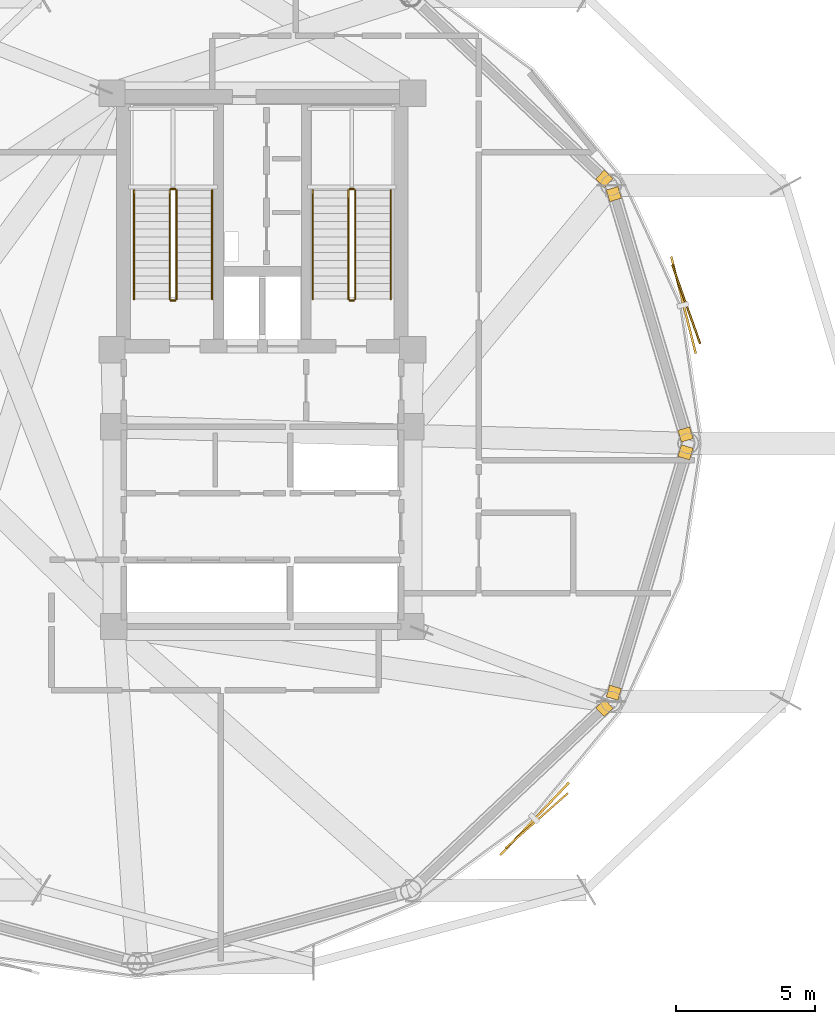
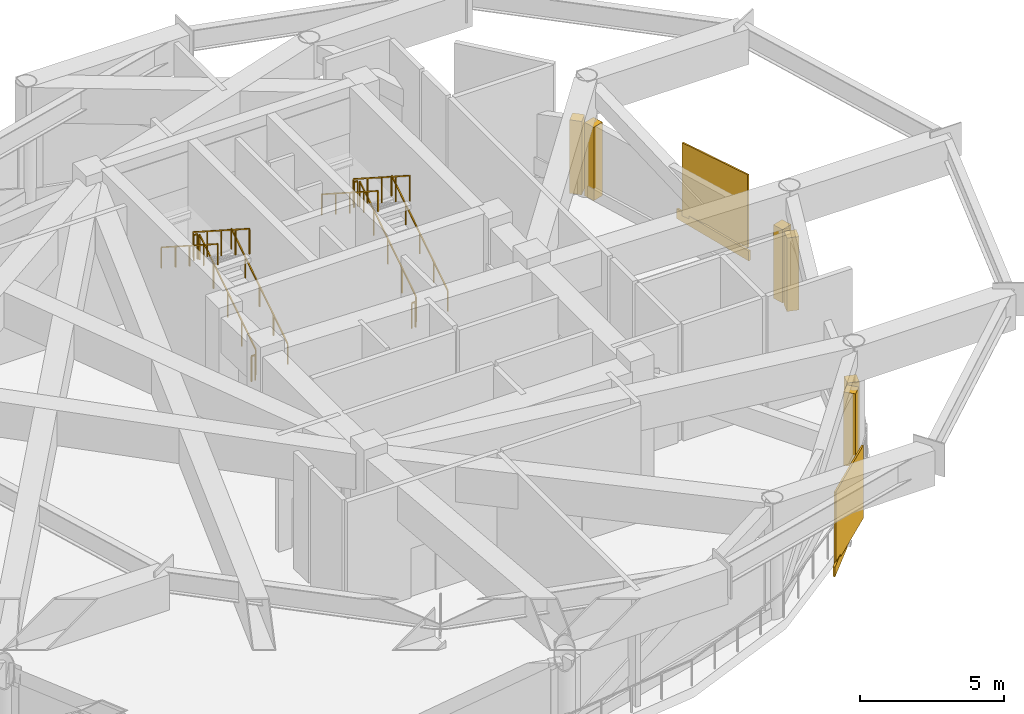
# One storey, part 7 of 8: 12 railings, 8 coverings, 2 shading devices.
"""IFC4 building model written with IfcOpenShell, lengths in metres."""

from ifc_helpers import new_model, si_unit, direction, frame, origin, origin_2d, place, context, subcontext, project, spatial, rectangle, extrude, source, transform, mapped, material, layer, layer_set, type_object, type_shapes, element, save


model = new_model("IFC4")

# Units and contexts
model_context = context("Model", 3, precision=1e-05, world=origin(), true_north=direction((0.0, 1.0)))
body_context = subcontext(model_context, "Body", "Model", "MODEL_VIEW")
ifc_project = project(units=[si_unit("LENGTHUNIT", "METRE"), si_unit("AREAUNIT", "SQUARE_METRE"), si_unit("VOLUMEUNIT", "CUBIC_METRE"), si_unit("PLANEANGLEUNIT", "RADIAN"), si_unit("MASSUNIT", "GRAM", prefix="KILO")], contexts=[model_context])

# Site, building, storey
site_placement = place(None, origin())
site = spatial("IfcSite", under=ifc_project, at=site_placement, CompositionType="ELEMENT")
building_placement = place(site_placement, origin())
building = spatial("IfcBuilding", under=site, at=building_placement, Name="Varnakorn Sky Granary", CompositionType="ELEMENT")
storey_placement = place(building_placement, frame((0.0, 0.0, 173.39990234375)))
storey = spatial("IfcBuildingStorey", under=building, at=storey_placement, Name="L43", CompositionType="ELEMENT", Elevation=173.39990234375)

# Railings
ifc_material_1 = material(Name="Brushed Stainless Steel 316", Category="steel")
railing_type_1 = type_object("IfcRailingType", Name="RL-STAIR-1100", PredefinedType="GUARDRAIL", material=ifc_material_1)
railing_1_placement = place(storey_placement, frame((-0.090087890625, 5.199951171875, 0.18017578125)))
element("IfcRailing", 1, at=railing_1_placement, inside=storey, type_object=railing_type_1, Name="L43 ST-1 stair guard 1", PredefinedType="GUARDRAIL", context=body_context, shape_type="SweptSolid", body=[
    extrude(rectangle(XDim=0.048095703125, YDim=0.048095703125, at=origin_2d()), frame((0.0, 0.0, 1.076171875), z_axis=(0.0, 0.841186985886, 0.540744352514), x_axis=(-1.0, 0.0, 0.0)), (0.0, 0.0, 1.0), 4.660400390625),
    extrude(rectangle(XDim=0.0419921875, YDim=0.0419921875, at=origin_2d()), origin(), (0.0, 0.0, 1.0), 1.048095703125),
    extrude(rectangle(XDim=0.0419921875, YDim=0.0419921875, at=origin_2d()), frame((0.0, 0.97998046875, 0.6298828125)), (0.0, 0.0, 1.0), 1.048095703125),
    extrude(rectangle(XDim=0.0419921875, YDim=0.0419921875, at=origin_2d()), frame((0.0, 1.9599609375, 1.260009765625)), (0.0, 0.0, 1.0), 1.048095703125),
    extrude(rectangle(XDim=0.0419921875, YDim=0.0419921875, at=origin_2d()), frame((0.0, 2.940185546875, 1.89013671875)), (0.0, 0.0, 1.0), 1.048095703125),
    extrude(rectangle(XDim=0.0419921875, YDim=0.0419921875, at=origin_2d()), frame((0.0, 3.920166015625, 2.52001953125)), (0.0, 0.0, 1.0), 1.048095703125),
])
railing_2_placement = place(storey_placement, frame((-0.139892578125, 9.169921875, 2.7001953125)))
element("IfcRailing", 2, at=railing_2_placement, inside=storey, type_object=railing_type_1, Name="L43 ST-1 stair guard 2", PredefinedType="GUARDRAIL", context=body_context, shape_type="SweptSolid", body=[
    extrude(rectangle(XDim=0.048095703125, YDim=0.048095703125, at=origin_2d()), frame((0.0, 0.0, 1.076171875), z_axis=(-1.0, 0.0, 0.0), x_axis=(0.0, -1.0, 0.0)), (0.0, 0.0, 1.0), 0.150146484375),
    extrude(rectangle(XDim=0.0419921875, YDim=0.0419921875, at=origin_2d()), origin(), (0.0, 0.0, 1.0), 1.048095703125),
    extrude(rectangle(XDim=0.0419921875, YDim=0.0419921875, at=origin_2d()), frame((-0.150146484375, 0.0, 0.0)), (0.0, 0.0, 1.0), 1.048095703125),
])
railing_3_placement = place(storey_placement, frame((-0.340087890625, 9.1201171875, 2.880126953125)))
element("IfcRailing", 3, at=railing_3_placement, inside=storey, type_object=railing_type_1, Name="L43 ST-1 stair guard 3", PredefinedType="GUARDRAIL", context=body_context, shape_type="SweptSolid", body=[
    extrude(rectangle(XDim=0.048095703125, YDim=0.048095703125, at=origin_2d()), frame((0.0, 0.0, 1.076171875), z_axis=(0.0, -0.841186985886, 0.540744352514), x_axis=(1.0, 0.0, 0.0)), (0.0, 0.0, 1.0), 4.660400390625),
    extrude(rectangle(XDim=0.0419921875, YDim=0.0419921875, at=origin_2d()), origin(), (0.0, 0.0, 1.0), 1.048095703125),
    extrude(rectangle(XDim=0.0419921875, YDim=0.0419921875, at=origin_2d()), frame((0.0, -0.97998046875, 0.6298828125)), (0.0, 0.0, 1.0), 1.048095703125),
    extrude(rectangle(XDim=0.0419921875, YDim=0.0419921875, at=origin_2d()), frame((0.0, -1.9599609375, 1.260009765625)), (0.0, 0.0, 1.0), 1.048095703125),
    extrude(rectangle(XDim=0.0419921875, YDim=0.0419921875, at=origin_2d()), frame((0.0, -2.940185546875, 1.89013671875)), (0.0, 0.0, 1.0), 1.048095703125),
    extrude(rectangle(XDim=0.0419921875, YDim=0.0419921875, at=origin_2d()), frame((0.0, -3.920166015625, 2.52001953125)), (0.0, 0.0, 1.0), 1.048095703125),
])
railing_4_placement = place(storey_placement, frame((-0.139892578125, 5.14990234375, 0.0)))
element("IfcRailing", 4, at=railing_4_placement, inside=storey, type_object=railing_type_1, Name="L43 ST-1 stair guard 4", PredefinedType="GUARDRAIL", context=body_context, shape_type="SweptSolid", body=[
    extrude(rectangle(XDim=0.048095703125, YDim=0.048095703125, at=origin_2d()), frame((0.0, 0.0, 1.076171875), z_axis=(-1.0, 0.0, 0.0), x_axis=(0.0, -1.0, 0.0)), (0.0, 0.0, 1.0), 0.150146484375),
    extrude(rectangle(XDim=0.0419921875, YDim=0.0419921875, at=origin_2d()), origin(), (0.0, 0.0, 1.0), 1.048095703125),
    extrude(rectangle(XDim=0.0419921875, YDim=0.0419921875, at=origin_2d()), frame((-0.150146484375, 0.0, 0.0)), (0.0, 0.0, 1.0), 1.048095703125),
])
railing_5_placement = place(storey_placement, frame((6.35009765625, 5.199951171875, 0.18017578125)))
element("IfcRailing", 5, at=railing_5_placement, inside=storey, type_object=railing_type_1, Name="L43 ST-2 stair guard 1", PredefinedType="GUARDRAIL", context=body_context, shape_type="SweptSolid", body=[
    extrude(rectangle(XDim=0.048095703125, YDim=0.048095703125, at=origin_2d()), frame((0.0, 0.0, 1.076171875), z_axis=(0.0, 0.841186985886, 0.540744352514), x_axis=(-1.0, 0.0, 0.0)), (0.0, 0.0, 1.0), 4.660400390625),
    extrude(rectangle(XDim=0.0419921875, YDim=0.0419921875, at=origin_2d()), origin(), (0.0, 0.0, 1.0), 1.048095703125),
    extrude(rectangle(XDim=0.0419921875, YDim=0.0419921875, at=origin_2d()), frame((0.0, 0.97998046875, 0.6298828125)), (0.0, 0.0, 1.0), 1.048095703125),
    extrude(rectangle(XDim=0.0419921875, YDim=0.0419921875, at=origin_2d()), frame((0.0, 1.9599609375, 1.260009765625)), (0.0, 0.0, 1.0), 1.048095703125),
    extrude(rectangle(XDim=0.0419921875, YDim=0.0419921875, at=origin_2d()), frame((0.0, 2.940185546875, 1.89013671875)), (0.0, 0.0, 1.0), 1.048095703125),
    extrude(rectangle(XDim=0.0419921875, YDim=0.0419921875, at=origin_2d()), frame((0.0, 3.920166015625, 2.52001953125)), (0.0, 0.0, 1.0), 1.048095703125),
])
railing_6_placement = place(storey_placement, frame((6.300048828125, 9.169921875, 2.7001953125)))
element("IfcRailing", 6, at=railing_6_placement, inside=storey, type_object=railing_type_1, Name="L43 ST-2 stair guard 2", PredefinedType="GUARDRAIL", context=body_context, shape_type="SweptSolid", body=[
    extrude(rectangle(XDim=0.048095703125, YDim=0.048095703125, at=origin_2d()), frame((0.0, 0.0, 1.076171875), z_axis=(-1.0, 0.0, 0.0), x_axis=(0.0, -1.0, 0.0)), (0.0, 0.0, 1.0), 0.150146484375),
    extrude(rectangle(XDim=0.0419921875, YDim=0.0419921875, at=origin_2d()), origin(), (0.0, 0.0, 1.0), 1.048095703125),
    extrude(rectangle(XDim=0.0419921875, YDim=0.0419921875, at=origin_2d()), frame((-0.150146484375, 0.0, 0.0)), (0.0, 0.0, 1.0), 1.048095703125),
])
railing_7_placement = place(storey_placement, frame((6.10009765625, 9.1201171875, 2.880126953125)))
element("IfcRailing", 7, at=railing_7_placement, inside=storey, type_object=railing_type_1, Name="L43 ST-2 stair guard 3", PredefinedType="GUARDRAIL", context=body_context, shape_type="SweptSolid", body=[
    extrude(rectangle(XDim=0.048095703125, YDim=0.048095703125, at=origin_2d()), frame((0.0, 0.0, 1.076171875), z_axis=(0.0, -0.841186985886, 0.540744352514), x_axis=(1.0, 0.0, 0.0)), (0.0, 0.0, 1.0), 4.660400390625),
    extrude(rectangle(XDim=0.0419921875, YDim=0.0419921875, at=origin_2d()), origin(), (0.0, 0.0, 1.0), 1.048095703125),
    extrude(rectangle(XDim=0.0419921875, YDim=0.0419921875, at=origin_2d()), frame((0.0, -0.97998046875, 0.6298828125)), (0.0, 0.0, 1.0), 1.048095703125),
    extrude(rectangle(XDim=0.0419921875, YDim=0.0419921875, at=origin_2d()), frame((0.0, -1.9599609375, 1.260009765625)), (0.0, 0.0, 1.0), 1.048095703125),
    extrude(rectangle(XDim=0.0419921875, YDim=0.0419921875, at=origin_2d()), frame((0.0, -2.940185546875, 1.89013671875)), (0.0, 0.0, 1.0), 1.048095703125),
    extrude(rectangle(XDim=0.0419921875, YDim=0.0419921875, at=origin_2d()), frame((0.0, -3.920166015625, 2.52001953125)), (0.0, 0.0, 1.0), 1.048095703125),
])
railing_8_placement = place(storey_placement, frame((6.300048828125, 5.14990234375, 0.0)))
element("IfcRailing", 8, at=railing_8_placement, inside=storey, type_object=railing_type_1, Name="L43 ST-2 stair guard 4", PredefinedType="GUARDRAIL", context=body_context, shape_type="SweptSolid", body=[
    extrude(rectangle(XDim=0.048095703125, YDim=0.048095703125, at=origin_2d()), frame((0.0, 0.0, 1.076171875), z_axis=(-1.0, 0.0, 0.0), x_axis=(0.0, -1.0, 0.0)), (0.0, 0.0, 1.0), 0.150146484375),
    extrude(rectangle(XDim=0.0419921875, YDim=0.0419921875, at=origin_2d()), origin(), (0.0, 0.0, 1.0), 1.048095703125),
    extrude(rectangle(XDim=0.0419921875, YDim=0.0419921875, at=origin_2d()), frame((-0.150146484375, 0.0, 0.0)), (0.0, 0.0, 1.0), 1.048095703125),
])
railing_type_2 = type_object("IfcRailingType", Name="RL-STAIR-920", PredefinedType="HANDRAIL", material=ifc_material_1)
railing_9_placement = place(storey_placement, frame((1.18994140625, 5.199951171875, 0.18017578125)))
element("IfcRailing", 9, at=railing_9_placement, inside=storey, type_object=railing_type_2, Name="L43 ST-1 stair handrail 1", PredefinedType="HANDRAIL", context=body_context, shape_type="SweptSolid", body=[
    extrude(rectangle(XDim=0.048095703125, YDim=0.048095703125, at=origin_2d()), frame((0.0, 0.0, 0.8759765625), z_axis=(0.0, 0.841186985886, 0.540744352514), x_axis=(-1.0, 0.0, 0.0)), (0.0, 0.0, 1.0), 4.660400390625),
    extrude(rectangle(XDim=0.0419921875, YDim=0.0419921875, at=origin_2d()), origin(), (0.0, 0.0, 1.0), 0.847900390625),
    extrude(rectangle(XDim=0.0419921875, YDim=0.0419921875, at=origin_2d()), frame((0.0, 0.97998046875, 0.6298828125)), (0.0, 0.0, 1.0), 0.847900390625),
    extrude(rectangle(XDim=0.0419921875, YDim=0.0419921875, at=origin_2d()), frame((0.0, 1.9599609375, 1.260009765625)), (0.0, 0.0, 1.0), 0.847900390625),
    extrude(rectangle(XDim=0.0419921875, YDim=0.0419921875, at=origin_2d()), frame((0.0, 2.940185546875, 1.89013671875)), (0.0, 0.0, 1.0), 0.847900390625),
    extrude(rectangle(XDim=0.0419921875, YDim=0.0419921875, at=origin_2d()), frame((0.0, 3.920166015625, 2.52001953125)), (0.0, 0.0, 1.0), 0.847900390625),
])
railing_10_placement = place(storey_placement, frame((-1.6201171875, 9.1201171875, 2.880126953125)))
element("IfcRailing", 10, at=railing_10_placement, inside=storey, type_object=railing_type_2, Name="L43 ST-1 stair handrail 2", PredefinedType="HANDRAIL", context=body_context, shape_type="SweptSolid", body=[
    extrude(rectangle(XDim=0.048095703125, YDim=0.048095703125, at=origin_2d()), frame((0.0, 0.0, 0.8759765625), z_axis=(0.0, -0.841186985886, 0.540744352514), x_axis=(1.0, 0.0, 0.0)), (0.0, 0.0, 1.0), 4.660400390625),
    extrude(rectangle(XDim=0.0419921875, YDim=0.0419921875, at=origin_2d()), origin(), (0.0, 0.0, 1.0), 0.847900390625),
    extrude(rectangle(XDim=0.0419921875, YDim=0.0419921875, at=origin_2d()), frame((0.0, -0.97998046875, 0.6298828125)), (0.0, 0.0, 1.0), 0.847900390625),
    extrude(rectangle(XDim=0.0419921875, YDim=0.0419921875, at=origin_2d()), frame((0.0, -1.9599609375, 1.260009765625)), (0.0, 0.0, 1.0), 0.847900390625),
    extrude(rectangle(XDim=0.0419921875, YDim=0.0419921875, at=origin_2d()), frame((0.0, -2.940185546875, 1.89013671875)), (0.0, 0.0, 1.0), 0.847900390625),
    extrude(rectangle(XDim=0.0419921875, YDim=0.0419921875, at=origin_2d()), frame((0.0, -3.920166015625, 2.52001953125)), (0.0, 0.0, 1.0), 0.847900390625),
])
railing_11_placement = place(storey_placement, frame((7.6298828125, 5.199951171875, 0.18017578125)))
element("IfcRailing", 11, at=railing_11_placement, inside=storey, type_object=railing_type_2, Name="L43 ST-2 stair handrail 1", PredefinedType="HANDRAIL", context=body_context, shape_type="SweptSolid", body=[
    extrude(rectangle(XDim=0.048095703125, YDim=0.048095703125, at=origin_2d()), frame((0.0, 0.0, 0.8759765625), z_axis=(0.0, 0.841186985886, 0.540744352514), x_axis=(-1.0, 0.0, 0.0)), (0.0, 0.0, 1.0), 4.660400390625),
    extrude(rectangle(XDim=0.0419921875, YDim=0.0419921875, at=origin_2d()), origin(), (0.0, 0.0, 1.0), 0.847900390625),
    extrude(rectangle(XDim=0.0419921875, YDim=0.0419921875, at=origin_2d()), frame((0.0, 0.97998046875, 0.6298828125)), (0.0, 0.0, 1.0), 0.847900390625),
    extrude(rectangle(XDim=0.0419921875, YDim=0.0419921875, at=origin_2d()), frame((0.0, 1.9599609375, 1.260009765625)), (0.0, 0.0, 1.0), 0.847900390625),
    extrude(rectangle(XDim=0.0419921875, YDim=0.0419921875, at=origin_2d()), frame((0.0, 2.940185546875, 1.89013671875)), (0.0, 0.0, 1.0), 0.847900390625),
    extrude(rectangle(XDim=0.0419921875, YDim=0.0419921875, at=origin_2d()), frame((0.0, 3.920166015625, 2.52001953125)), (0.0, 0.0, 1.0), 0.847900390625),
])
railing_12_placement = place(storey_placement, frame((4.820068359375, 9.1201171875, 2.880126953125)))
element("IfcRailing", 12, at=railing_12_placement, inside=storey, type_object=railing_type_2, Name="L43 ST-2 stair handrail 2", PredefinedType="HANDRAIL", context=body_context, shape_type="SweptSolid", body=[
    extrude(rectangle(XDim=0.048095703125, YDim=0.048095703125, at=origin_2d()), frame((0.0, 0.0, 0.8759765625), z_axis=(0.0, -0.841186985886, 0.540744352514), x_axis=(1.0, 0.0, 0.0)), (0.0, 0.0, 1.0), 4.660400390625),
    extrude(rectangle(XDim=0.0419921875, YDim=0.0419921875, at=origin_2d()), origin(), (0.0, 0.0, 1.0), 0.847900390625),
    extrude(rectangle(XDim=0.0419921875, YDim=0.0419921875, at=origin_2d()), frame((0.0, -0.97998046875, 0.6298828125)), (0.0, 0.0, 1.0), 0.847900390625),
    extrude(rectangle(XDim=0.0419921875, YDim=0.0419921875, at=origin_2d()), frame((0.0, -1.9599609375, 1.260009765625)), (0.0, 0.0, 1.0), 0.847900390625),
    extrude(rectangle(XDim=0.0419921875, YDim=0.0419921875, at=origin_2d()), frame((0.0, -2.940185546875, 1.89013671875)), (0.0, 0.0, 1.0), 0.847900390625),
    extrude(rectangle(XDim=0.0419921875, YDim=0.0419921875, at=origin_2d()), frame((0.0, -3.920166015625, 2.52001953125)), (0.0, 0.0, 1.0), 0.847900390625),
])

# Coverings
ifc_material_2 = material(Name="Anodised Bronze Aluminium Alloy 6063-T6", Category="aluminium")
ifc_layer = layer(ifc_material_2, 0.050048828125, Name="Anodised Bronze Aluminium Alloy 6063-T6")
ifc_layer_set = layer_set([ifc_layer], Name="Anodised Bronze Aluminium Alloy 6063-T6")
covering_type = type_object("IfcCoveringType", Name="CV-CLAD-50", PredefinedType="CLADDING", material=ifc_layer_set)
shared_shape_1 = source(origin(), body_context, "Body", "SweptSolid", [
    extrude(rectangle(XDim=3.60009765625, YDim=0.080078125, at=origin_2d()), origin(), (0.0, 0.0, 1.0), 0.419921875),
])
for number, where, z_axis, x_axis, name in (
    (13, (18.18115234375, 4.98681640625, -0.329833984375), (0.0, 0.0, 1.0), (-0.245620978801, 0.969365944715, 0.0), "Bronze Slab-Edge Spandrel Cladding L43-01"),
    (14, (12.814453125, -13.53125, -0.329833984375), (0.0, 0.0, 1.0), (0.686942362982, 0.726711902985, 0.0), "Bronze Slab-Edge Spandrel Cladding L43-11"),
):
    element("IfcCovering", number, at=place(storey_placement, frame(where, z_axis=z_axis, x_axis=x_axis)), inside=storey, type_object=covering_type, Name=name, PredefinedType="CLADDING", context=body_context, shape_type="MappedRepresentation", body=[
        mapped(shared_shape_1, transform((0.0, 0.0, 0.0), x_axis=(1.0, 0.0, 0.0), y_axis=(0.0, 1.0, 0.0), z_axis=(0.0, 0.0, 1.0), scale=1.0)),
    ])

# Shading devices
shading_device_type = type_object("IfcShadingDeviceType", Name="SH-SCR-02", PredefinedType="USERDEFINED", material=ifc_material_2)
shared_shape_2 = source(origin(), body_context, "Body", "SweptSolid", [
    extrude(rectangle(XDim=3.0, YDim=0.06494140625, at=origin_2d()), origin(), (0.0, 0.0, 1.0), 3.10009765625),
])
type_shapes(shading_device_type, [shared_shape_2])
for number, where, z_axis, x_axis, name in (
    (15, (18.278076171875, 5.011474609375, -0.0400390625), (0.0, 0.0, 1.0), (-0.333289134024, 0.942824667232, 0.0), "Perforated Bronze Solar Screen Panel SCREEN L43-01"),
    (16, (12.88720703125, -13.599853515625, -0.0400390625), (0.0, 0.0, 1.0), (0.750555905443, 0.660806955778, 0.0), "Perforated Bronze Solar Screen Panel SCREEN L43-11"),
):
    element("IfcShadingDevice", number, at=place(storey_placement, frame(where, z_axis=z_axis, x_axis=x_axis)), inside=storey, type_object=shading_device_type, Name=name, ObjectType="SCREEN", PredefinedType="USERDEFINED", context=body_context, shape_type="MappedRepresentation", body=[
        mapped(shared_shape_2, transform((0.0, 0.0, 0.0), x_axis=(1.0, 0.0, 0.0), y_axis=(0.0, 1.0, 0.0), z_axis=(0.0, 0.0, 1.0), scale=1.0)),
    ])

# Coverings
shared_shape_3 = source(origin(), body_context, "Body", "SweptSolid", [
    extrude(rectangle(XDim=0.43994140625, YDim=0.43994140625, at=origin_2d()), origin(), (0.0, 0.0, 1.0), 3.1201171875),
])
type_shapes(covering_type, [shared_shape_1, shared_shape_3])
for number, where, z_axis, x_axis, name in (
    (17, (15.669677734375, 8.985595703125, -0.02001953125), (0.0, 0.0, 1.0), (0.285855621895, -0.958272697843, 0.0), "Bronze Corner Pilaster Closure L43-P01-A"),
    (18, (18.25390625, 0.322021484375, -0.02001953125), (0.0, 0.0, 1.0), (0.285855621895, -0.958272697843, 0.0), "Bronze Corner Pilaster Closure L43-P01-B"),
    (19, (15.329345703125, 9.5380859375, -0.02001953125), (0.0, 0.0, 1.0), (0.727054171443, -0.686580098596, 0.0), "Bronze Corner Pilaster Closure L43-P02-B"),
    (20, (15.329345703125, -9.5380859375, -0.02001953125), (0.0, 0.0, 1.0), (-0.727054171443, -0.686580098596, 0.0), "Bronze Corner Pilaster Closure L43-P11-A"),
    (21, (18.25390625, -0.322021484375, -0.02001953125), (0.0, 0.0, 1.0), (-0.285855621895, -0.958272697843, 0.0), "Bronze Corner Pilaster Closure L43-P12-A"),
    (22, (15.669677734375, -8.985595703125, -0.02001953125), (0.0, 0.0, 1.0), (-0.285855621895, -0.958272697843, 0.0), "Bronze Corner Pilaster Closure L43-P12-B"),
):
    element("IfcCovering", number, at=place(storey_placement, frame(where, z_axis=z_axis, x_axis=x_axis)), inside=storey, type_object=covering_type, Name=name, PredefinedType="CLADDING", context=body_context, shape_type="MappedRepresentation", body=[
        mapped(shared_shape_3, transform((0.0, 0.0, 0.0), x_axis=(1.0, 0.0, 0.0), y_axis=(0.0, 1.0, 0.0), z_axis=(0.0, 0.0, 1.0), scale=1.0)),
    ])

save(model, "model.ifc")
